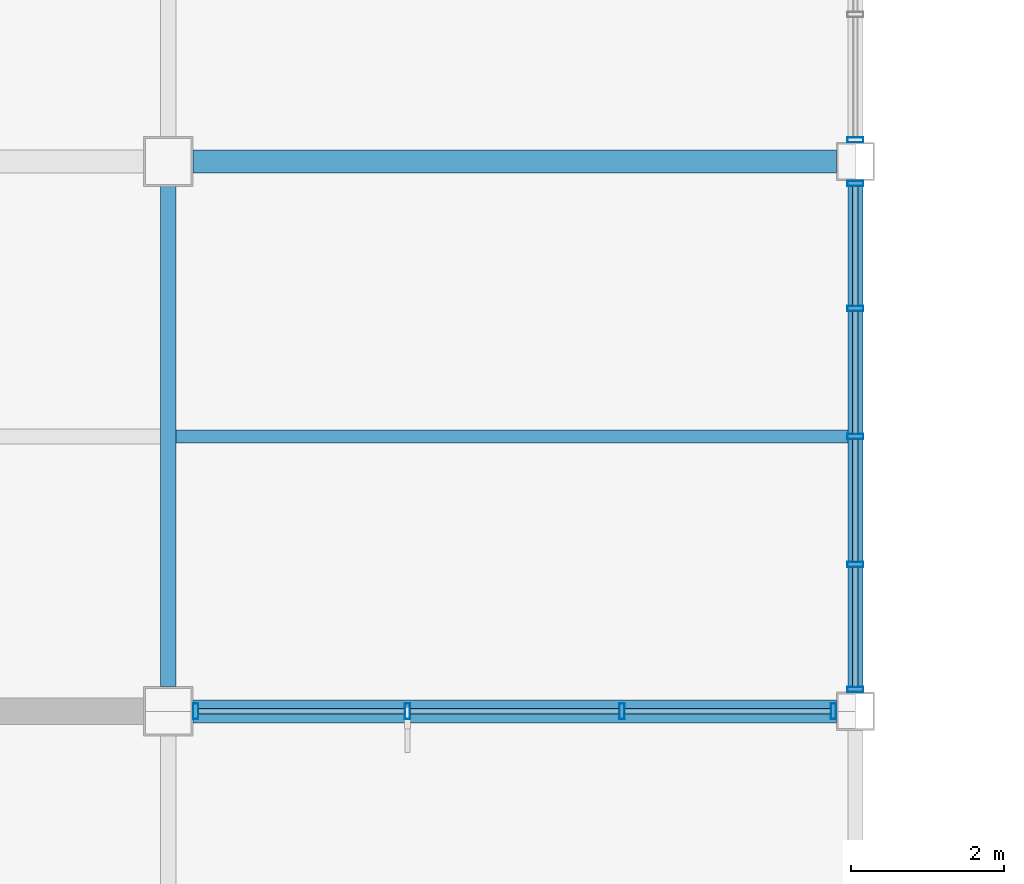
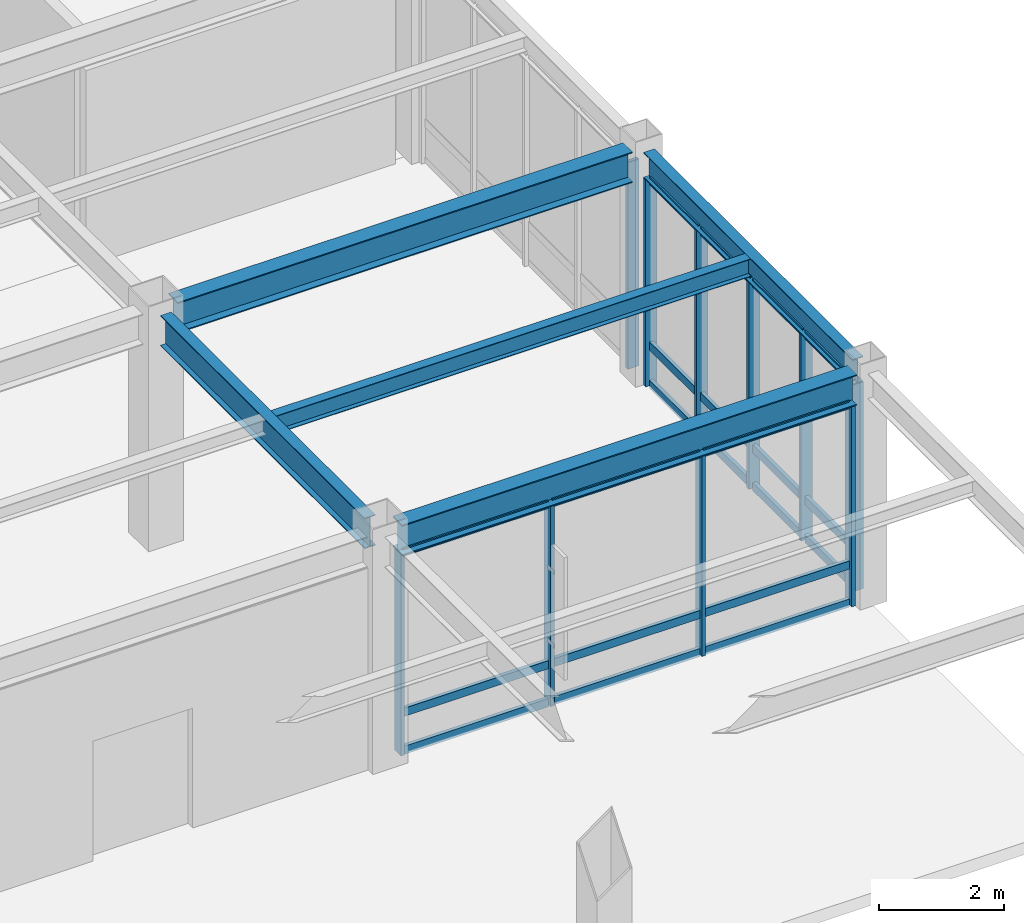
# One storey, part 36 of 112: 31 members, 5 beams, 3 elements without a shape of their own.
"""IFC4 building model written with IfcOpenShell, lengths in metres."""

from ifc_helpers import new_model, si_unit, direction, frame, origin, origin_2d, place, context, subcontext, project, spatial, hollow_rectangle, i_section, extrude, material, material_profile, profile_set, type_object, element, aggregate, save


model = new_model("IFC4")

# Units and contexts
model_context = context("Model", 3, precision=1e-05, world=origin(), true_north=direction((0.0, 1.0)))
body_context = subcontext(model_context, "Body", "Model", "MODEL_VIEW")
ifc_project = project(units=[si_unit("LENGTHUNIT", "METRE"), si_unit("AREAUNIT", "SQUARE_METRE"), si_unit("VOLUMEUNIT", "CUBIC_METRE"), si_unit("PLANEANGLEUNIT", "RADIAN"), si_unit("MASSUNIT", "GRAM", prefix="KILO")], contexts=[model_context])

# Site, building, storey
site_placement = place(None, origin())
site = spatial("IfcSite", under=ifc_project, at=site_placement, CompositionType="ELEMENT")
building_placement = place(site_placement, origin())
building = spatial("IfcBuilding", under=site, at=building_placement, Name="Kazanami Central Library", CompositionType="ELEMENT")
storey_placement = place(building_placement, origin())
storey = spatial("IfcBuildingStorey", under=building, at=storey_placement, Name="L01", CompositionType="ELEMENT", Elevation=0.0)

# Beams
ifc_material_1 = material(Name="Steel SN400B (235 MPa)", Category="steel")
ifc_material_profile_1 = material_profile(ifc_material_1, i_section(OverallWidth=0.175048828125, OverallDepth=0.35009765625, WebThickness=0.007080078125, FlangeThickness=0.010986328125, at=origin_2d()), Name="H-350x175x7x11")
ifc_profile_set_1 = profile_set([ifc_material_profile_1], Name="Steel SN400B (235 MPa)")
beam_type_1 = type_object("IfcBeamType", Name="BM-B-S2", PredefinedType="JOIST", material=ifc_profile_set_1)
beam_1_placement = place(storey_placement, frame((99.097900390625, 25.199951171875, 4.3798828125), z_axis=(1.0, 0.0, 0.0), x_axis=(0.0, 1.0, 0.0)))
element("IfcBeam", 1, at=beam_1_placement, inside=storey, type_object=beam_type_1, Name="Composite Secondary Joist B-S2 L01 Bay 12/D.1", PredefinedType="JOIST", context=body_context, shape_type="SweptSolid", body=[
    extrude(i_section(OverallWidth=0.175048828125, OverallDepth=0.35009765625, WebThickness=0.007080078125, FlangeThickness=0.010986328125, at=origin_2d()), origin(), (0.0, 0.0, 1.0), 8.80419921875),
])
ifc_material_2 = material(Name="Steel SN490B (325 MPa)", Category="steel")
ifc_material_profile_2 = material_profile(ifc_material_2, i_section(OverallWidth=0.300048828125, OverallDepth=0.60009765625, WebThickness=0.011962890625, FlangeThickness=0.02001953125, at=origin_2d()), Name="H-600x300x12x20")
ifc_profile_set_2 = profile_set([ifc_material_profile_2], Name="Steel SN490B (325 MPa)")
beam_type_2 = type_object("IfcBeamType", Name="BM-G-X1", PredefinedType="BEAM", material=ifc_profile_set_2)
for number, where, z_axis, x_axis, name in (
    (2, (99.322998046875, 21.60009765625, 4.2548828125), (1.0, 0.0, 0.0), (0.0, 1.0, 0.0), "Girder G-X1 L01 D/12-13"),
    (3, (99.322998046875, 28.800048828125, 4.2548828125), (1.0, 0.0, 0.0), (0.0, 1.0, 0.0), "Girder G-X1 L01 E/12-13"),
):
    element("IfcBeam", number, at=place(storey_placement, frame(where, z_axis=z_axis, x_axis=x_axis)), inside=storey, type_object=beam_type_2, Name=name, PredefinedType="BEAM", context=body_context, shape_type="SweptSolid", body=[
        extrude(i_section(OverallWidth=0.300048828125, OverallDepth=0.60009765625, WebThickness=0.011962890625, FlangeThickness=0.02001953125, at=origin_2d()), origin(), (0.0, 0.0, 1.0), 8.428955078125),
    ])
ifc_material_profile_3 = material_profile(ifc_material_2, i_section(OverallWidth=0.199951171875, OverallDepth=0.60009765625, WebThickness=0.010986328125, FlangeThickness=0.01708984375, at=origin_2d()), Name="H-600x200x11x17")
ifc_profile_set_3 = profile_set([ifc_material_profile_3], Name="Steel SN490B (325 MPa)")
beam_type_3 = type_object("IfcBeamType", Name="BM-G-Y1", PredefinedType="BEAM", material=ifc_profile_set_3)
beam_2_placement = place(storey_placement, frame((99.0, 21.923095703125, 4.2548828125), z_axis=(0.0, 1.0, 0.0), x_axis=(-1.0, 0.0, 0.0)))
element("IfcBeam", 4, at=beam_2_placement, inside=storey, type_object=beam_type_3, Name="Girder G-Y1 L01 12/D-E", PredefinedType="BEAM", context=body_context, shape_type="SweptSolid", body=[
    extrude(i_section(OverallWidth=0.199951171875, OverallDepth=0.60009765625, WebThickness=0.010986328125, FlangeThickness=0.01708984375, at=origin_2d()), origin(), (0.0, 0.0, 1.0), 6.553955078125),
])
ifc_material_profile_4 = material_profile(ifc_material_2, i_section(OverallWidth=0.199951171875, OverallDepth=0.5, WebThickness=0.010009765625, FlangeThickness=0.01611328125, at=origin_2d()), Name="H-500x200x10x16")
ifc_profile_set_4 = profile_set([ifc_material_profile_4], Name="Steel SN490B (325 MPa)")
beam_type_4 = type_object("IfcBeamType", Name="BM-SP-1", PredefinedType="SPANDREL", material=ifc_profile_set_4)
beam_3_placement = place(storey_placement, frame((108.0, 21.847900390625, 4.304931640625), z_axis=(0.0, 1.0, 0.0), x_axis=(-1.0, 0.0, 0.0)))
element("IfcBeam", 5, at=beam_3_placement, inside=storey, type_object=beam_type_4, Name="Girder SP-1 L01 13/D-E", PredefinedType="SPANDREL", context=body_context, shape_type="SweptSolid", body=[
    extrude(i_section(OverallWidth=0.199951171875, OverallDepth=0.5, WebThickness=0.010009765625, FlangeThickness=0.01611328125, at=origin_2d()), origin(), (0.0, 0.0, 1.0), 6.7041015625),
])

# Curtain wall, members
ifc_material_3 = material(Name="Acid-Etched Low-E Laminated Glass", Category="glass")
curtain_wall_type_1 = type_object("IfcCurtainWallType", Name="CW-8425x3955-M275", PredefinedType="USERDEFINED", material=ifc_material_3)
curtain_wall_1_placement = place(storey_placement, origin())
curtain_wall_1 = element("IfcCurtainWall", 6, at=curtain_wall_1_placement, inside=storey, type_object=curtain_wall_type_1, Name="Unitised Curtain Wall CW-01 L01 S-D-11", ObjectType="UNITISED CURTAIN WALL", PredefinedType="USERDEFINED")
ifc_material_4 = material(Name="Anodised Aluminium A6063-T5", Category="aluminium")
ifc_material_profile_5 = material_profile(ifc_material_4, hollow_rectangle(XDim=0.070068359375, YDim=0.2099609375, WallThickness=0.0048828125, at=origin_2d()), Name="ALU-MULL-70x210x5")
ifc_profile_set_5 = profile_set([ifc_material_profile_5], Name="Anodised Aluminium A6063-T5")
member_type_1 = type_object("IfcMemberType", Name="MEM-CW-M1", PredefinedType="MULLION", material=ifc_profile_set_5)
member_1_placement = place(storey_placement, frame((99.360107421875, 21.60009765625, 0.0), z_axis=(0.0, 0.0, 1.0), x_axis=(1.0, 0.0, 0.0)))
member_1 = element("IfcMember", 7, at=member_1_placement, type_object=member_type_1, Name="CW-01 mullion 1", PredefinedType="MULLION", context=body_context, shape_type="SweptSolid", body=[
    extrude(hollow_rectangle(XDim=0.070068359375, YDim=0.2099609375, WallThickness=0.0048828125, at=origin_2d()), origin(), (0.0, 0.0, 1.0), 3.955078125),
])
member_2_placement = place(storey_placement, frame((102.13330078125, 21.60009765625, 0.0), z_axis=(0.0, 0.0, 1.0), x_axis=(1.0, 0.0, 0.0)))
member_2 = element("IfcMember", 8, at=member_2_placement, type_object=member_type_1, Name="CW-01 mullion 2", PredefinedType="MULLION", context=body_context, shape_type="SweptSolid", body=[
    extrude(hollow_rectangle(XDim=0.070068359375, YDim=0.2099609375, WallThickness=0.0048828125, at=origin_2d()), origin(), (0.0, 0.0, 1.0), 3.955078125),
])
member_3_placement = place(storey_placement, frame((104.941650390625, 21.60009765625, 0.0), z_axis=(0.0, 0.0, 1.0), x_axis=(1.0, 0.0, 0.0)))
member_3 = element("IfcMember", 9, at=member_3_placement, type_object=member_type_1, Name="CW-01 mullion 3", PredefinedType="MULLION", context=body_context, shape_type="SweptSolid", body=[
    extrude(hollow_rectangle(XDim=0.070068359375, YDim=0.2099609375, WallThickness=0.0048828125, at=origin_2d()), origin(), (0.0, 0.0, 1.0), 3.955078125),
])
member_4_placement = place(storey_placement, frame((107.715087890625, 21.60009765625, 0.0), z_axis=(0.0, 0.0, 1.0), x_axis=(1.0, 0.0, 0.0)))
member_4 = element("IfcMember", 10, at=member_4_placement, type_object=member_type_1, Name="CW-01 mullion 4", PredefinedType="MULLION", context=body_context, shape_type="SweptSolid", body=[
    extrude(hollow_rectangle(XDim=0.070068359375, YDim=0.2099609375, WallThickness=0.0048828125, at=origin_2d()), origin(), (0.0, 0.0, 1.0), 3.955078125),
])

curtain_wall_type_2 = type_object("IfcCurtainWallType", Name="CW-6700x4055-M180", PredefinedType="USERDEFINED", material=ifc_material_3)
curtain_wall_2_placement = place(storey_placement, origin())
curtain_wall_2 = element("IfcCurtainWall", 11, at=curtain_wall_2_placement, inside=storey, type_object=curtain_wall_type_2, Name="Covered Link Bridge Curtain Wall CW-09 L01 E-13-03", ObjectType="UNITISED CURTAIN WALL", PredefinedType="USERDEFINED")
member_5_placement = place(storey_placement, frame((108.0, 28.514892578125, 0.0), z_axis=(0.0, 0.0, 1.0), x_axis=(0.0, -1.0, 0.0)))
member_5 = element("IfcMember", 12, at=member_5_placement, type_object=member_type_1, Name="CW-09 mullion 1", PredefinedType="MULLION", context=body_context, shape_type="SweptSolid", body=[
    extrude(hollow_rectangle(XDim=0.070068359375, YDim=0.2099609375, WallThickness=0.0048828125, at=origin_2d()), origin(), (0.0, 0.0, 1.0), 4.054931640625),
])
member_6_placement = place(storey_placement, frame((108.0, 26.875, 0.0), z_axis=(0.0, 0.0, 1.0), x_axis=(0.0, -1.0, 0.0)))
member_6 = element("IfcMember", 13, at=member_6_placement, type_object=member_type_1, Name="CW-09 mullion 2", PredefinedType="MULLION", context=body_context, shape_type="SweptSolid", body=[
    extrude(hollow_rectangle(XDim=0.070068359375, YDim=0.2099609375, WallThickness=0.0048828125, at=origin_2d()), origin(), (0.0, 0.0, 1.0), 4.054931640625),
])
member_7_placement = place(storey_placement, frame((108.0, 25.199951171875, 0.0), z_axis=(0.0, 0.0, 1.0), x_axis=(0.0, -1.0, 0.0)))
member_7 = element("IfcMember", 14, at=member_7_placement, type_object=member_type_1, Name="CW-09 mullion 3", PredefinedType="MULLION", context=body_context, shape_type="SweptSolid", body=[
    extrude(hollow_rectangle(XDim=0.070068359375, YDim=0.2099609375, WallThickness=0.0048828125, at=origin_2d()), origin(), (0.0, 0.0, 1.0), 4.054931640625),
])
member_8_placement = place(storey_placement, frame((108.0, 23.52490234375, 0.0), z_axis=(0.0, 0.0, 1.0), x_axis=(0.0, -1.0, 0.0)))
member_8 = element("IfcMember", 15, at=member_8_placement, type_object=member_type_1, Name="CW-09 mullion 4", PredefinedType="MULLION", context=body_context, shape_type="SweptSolid", body=[
    extrude(hollow_rectangle(XDim=0.070068359375, YDim=0.2099609375, WallThickness=0.0048828125, at=origin_2d()), origin(), (0.0, 0.0, 1.0), 4.054931640625),
])
member_9_placement = place(storey_placement, frame((108.0, 21.885009765625, 0.0), z_axis=(0.0, 0.0, 1.0), x_axis=(0.0, -1.0, 0.0)))
member_9 = element("IfcMember", 16, at=member_9_placement, type_object=member_type_1, Name="CW-09 mullion 5", PredefinedType="MULLION", context=body_context, shape_type="SweptSolid", body=[
    extrude(hollow_rectangle(XDim=0.070068359375, YDim=0.2099609375, WallThickness=0.0048828125, at=origin_2d()), origin(), (0.0, 0.0, 1.0), 4.054931640625),
])

# Curtain wall, member
curtain_wall_3_placement = place(storey_placement, origin())
curtain_wall_3 = element("IfcCurtainWall", 17, at=curtain_wall_3_placement, inside=storey, type_object=curtain_wall_type_2, Name="Covered Link Bridge Curtain Wall CW-09 L01 E-13-04", ObjectType="UNITISED CURTAIN WALL", PredefinedType="USERDEFINED")
member_10_placement = place(storey_placement, frame((108.0, 29.0849609375, 0.0), z_axis=(0.0, 0.0, 1.0), x_axis=(0.0, -1.0, 0.0)))
member_10 = element("IfcMember", 18, at=member_10_placement, type_object=member_type_1, Name="CW-09 mullion 5", PredefinedType="MULLION", context=body_context, shape_type="SweptSolid", body=[
    extrude(hollow_rectangle(XDim=0.070068359375, YDim=0.2099609375, WallThickness=0.0048828125, at=origin_2d()), origin(), (0.0, 0.0, 1.0), 4.054931640625),
])
aggregate(curtain_wall_3, [member_10])

# Member
ifc_material_profile_6 = material_profile(ifc_material_4, hollow_rectangle(XDim=0.070068359375, YDim=0.159912109375, WallThickness=0.00390625, at=origin_2d()), Name="ALU-TRAN-70x160x4")
ifc_profile_set_6 = profile_set([ifc_material_profile_6], Name="Anodised Aluminium A6063-T5")
member_type_2 = type_object("IfcMemberType", Name="MEM-CW-T1", PredefinedType="USERDEFINED", material=ifc_profile_set_6)
member_11_placement = place(storey_placement, frame((99.39501953125, 21.60009765625, 0.034912109375), z_axis=(1.0, 0.0, 0.0), x_axis=(0.0, 1.0, 0.0)))
member_11 = element("IfcMember", 19, at=member_11_placement, type_object=member_type_2, Name="CW-01 transom 1.1", ObjectType="TRANSOM", PredefinedType="USERDEFINED", context=body_context, shape_type="SweptSolid", body=[
    extrude(hollow_rectangle(XDim=0.070068359375, YDim=0.159912109375, WallThickness=0.00390625, at=origin_2d()), origin(), (0.0, 0.0, 1.0), 2.703369140625),
])

member_12_placement = place(storey_placement, frame((99.39501953125, 21.60009765625, 0.780029296875), z_axis=(1.0, 0.0, 0.0), x_axis=(0.0, 1.0, 0.0)))
member_12 = element("IfcMember", 20, at=member_12_placement, type_object=member_type_2, Name="CW-01 transom 1.2", ObjectType="TRANSOM", PredefinedType="USERDEFINED", context=body_context, shape_type="SweptSolid", body=[
    extrude(hollow_rectangle(XDim=0.070068359375, YDim=0.159912109375, WallThickness=0.00390625, at=origin_2d()), origin(), (0.0, 0.0, 1.0), 2.703369140625),
])

member_13_placement = place(storey_placement, frame((99.39501953125, 21.60009765625, 3.919921875), z_axis=(1.0, 0.0, 0.0), x_axis=(0.0, 1.0, 0.0)))
member_13 = element("IfcMember", 21, at=member_13_placement, type_object=member_type_2, Name="CW-01 transom 1.3", ObjectType="TRANSOM", PredefinedType="USERDEFINED", context=body_context, shape_type="SweptSolid", body=[
    extrude(hollow_rectangle(XDim=0.070068359375, YDim=0.159912109375, WallThickness=0.00390625, at=origin_2d()), origin(), (0.0, 0.0, 1.0), 2.703369140625),
])

member_14_placement = place(storey_placement, frame((102.168212890625, 21.60009765625, 0.034912109375), z_axis=(1.0, 0.0, 0.0), x_axis=(0.0, 1.0, 0.0)))
member_14 = element("IfcMember", 22, at=member_14_placement, type_object=member_type_2, Name="CW-01 transom 2.1", ObjectType="TRANSOM", PredefinedType="USERDEFINED", context=body_context, shape_type="SweptSolid", body=[
    extrude(hollow_rectangle(XDim=0.070068359375, YDim=0.159912109375, WallThickness=0.00390625, at=origin_2d()), origin(), (0.0, 0.0, 1.0), 2.738525390625),
])

member_15_placement = place(storey_placement, frame((102.168212890625, 21.60009765625, 0.780029296875), z_axis=(1.0, 0.0, 0.0), x_axis=(0.0, 1.0, 0.0)))
member_15 = element("IfcMember", 23, at=member_15_placement, type_object=member_type_2, Name="CW-01 transom 2.2", ObjectType="TRANSOM", PredefinedType="USERDEFINED", context=body_context, shape_type="SweptSolid", body=[
    extrude(hollow_rectangle(XDim=0.070068359375, YDim=0.159912109375, WallThickness=0.00390625, at=origin_2d()), origin(), (0.0, 0.0, 1.0), 2.738525390625),
])

member_16_placement = place(storey_placement, frame((102.168212890625, 21.60009765625, 3.919921875), z_axis=(1.0, 0.0, 0.0), x_axis=(0.0, 1.0, 0.0)))
member_16 = element("IfcMember", 24, at=member_16_placement, type_object=member_type_2, Name="CW-01 transom 2.3", ObjectType="TRANSOM", PredefinedType="USERDEFINED", context=body_context, shape_type="SweptSolid", body=[
    extrude(hollow_rectangle(XDim=0.070068359375, YDim=0.159912109375, WallThickness=0.00390625, at=origin_2d()), origin(), (0.0, 0.0, 1.0), 2.738525390625),
])

member_17_placement = place(storey_placement, frame((104.9765625, 21.60009765625, 0.034912109375), z_axis=(1.0, 0.0, 0.0), x_axis=(0.0, 1.0, 0.0)))
member_17 = element("IfcMember", 25, at=member_17_placement, type_object=member_type_2, Name="CW-01 transom 3.1", ObjectType="TRANSOM", PredefinedType="USERDEFINED", context=body_context, shape_type="SweptSolid", body=[
    extrude(hollow_rectangle(XDim=0.070068359375, YDim=0.159912109375, WallThickness=0.00390625, at=origin_2d()), origin(), (0.0, 0.0, 1.0), 2.703369140625),
])

member_18_placement = place(storey_placement, frame((104.9765625, 21.60009765625, 0.780029296875), z_axis=(1.0, 0.0, 0.0), x_axis=(0.0, 1.0, 0.0)))
member_18 = element("IfcMember", 26, at=member_18_placement, type_object=member_type_2, Name="CW-01 transom 3.2", ObjectType="TRANSOM", PredefinedType="USERDEFINED", context=body_context, shape_type="SweptSolid", body=[
    extrude(hollow_rectangle(XDim=0.070068359375, YDim=0.159912109375, WallThickness=0.00390625, at=origin_2d()), origin(), (0.0, 0.0, 1.0), 2.703369140625),
])

member_19_placement = place(storey_placement, frame((104.9765625, 21.60009765625, 3.919921875), z_axis=(1.0, 0.0, 0.0), x_axis=(0.0, 1.0, 0.0)))
member_19 = element("IfcMember", 27, at=member_19_placement, type_object=member_type_2, Name="CW-01 transom 3.3", ObjectType="TRANSOM", PredefinedType="USERDEFINED", context=body_context, shape_type="SweptSolid", body=[
    extrude(hollow_rectangle(XDim=0.070068359375, YDim=0.159912109375, WallThickness=0.00390625, at=origin_2d()), origin(), (0.0, 0.0, 1.0), 2.703369140625),
])

aggregate(curtain_wall_1, [member_1, member_2, member_3, member_4, member_11, member_12, member_13, member_14, member_15, member_16, member_17, member_18, member_19])

member_20_placement = place(storey_placement, frame((108.0, 28.47998046875, 0.034912109375), z_axis=(0.0, -1.0, 0.0), x_axis=(1.0, 0.0, 0.0)))
member_20 = element("IfcMember", 28, at=member_20_placement, type_object=member_type_2, Name="CW-09 transom 1.1", ObjectType="TRANSOM", PredefinedType="USERDEFINED", context=body_context, shape_type="SweptSolid", body=[
    extrude(hollow_rectangle(XDim=0.070068359375, YDim=0.159912109375, WallThickness=0.00390625, at=origin_2d()), origin(), (0.0, 0.0, 1.0), 1.570068359375),
])

member_21_placement = place(storey_placement, frame((108.0, 28.47998046875, 0.780029296875), z_axis=(0.0, -1.0, 0.0), x_axis=(1.0, 0.0, 0.0)))
member_21 = element("IfcMember", 29, at=member_21_placement, type_object=member_type_2, Name="CW-09 transom 1.2", ObjectType="TRANSOM", PredefinedType="USERDEFINED", context=body_context, shape_type="SweptSolid", body=[
    extrude(hollow_rectangle(XDim=0.070068359375, YDim=0.159912109375, WallThickness=0.00390625, at=origin_2d()), origin(), (0.0, 0.0, 1.0), 1.570068359375),
])

member_22_placement = place(storey_placement, frame((108.0, 28.47998046875, 4.02001953125), z_axis=(0.0, -1.0, 0.0), x_axis=(1.0, 0.0, 0.0)))
member_22 = element("IfcMember", 30, at=member_22_placement, type_object=member_type_2, Name="CW-09 transom 1.3", ObjectType="TRANSOM", PredefinedType="USERDEFINED", context=body_context, shape_type="SweptSolid", body=[
    extrude(hollow_rectangle(XDim=0.070068359375, YDim=0.159912109375, WallThickness=0.00390625, at=origin_2d()), origin(), (0.0, 0.0, 1.0), 1.570068359375),
])

member_23_placement = place(storey_placement, frame((108.0, 26.840087890625, 0.034912109375), z_axis=(0.0, -1.0, 0.0), x_axis=(1.0, 0.0, 0.0)))
member_23 = element("IfcMember", 31, at=member_23_placement, type_object=member_type_2, Name="CW-09 transom 2.1", ObjectType="TRANSOM", PredefinedType="USERDEFINED", context=body_context, shape_type="SweptSolid", body=[
    extrude(hollow_rectangle(XDim=0.070068359375, YDim=0.159912109375, WallThickness=0.00390625, at=origin_2d()), origin(), (0.0, 0.0, 1.0), 1.60498046875),
])

member_24_placement = place(storey_placement, frame((108.0, 26.840087890625, 0.780029296875), z_axis=(0.0, -1.0, 0.0), x_axis=(1.0, 0.0, 0.0)))
member_24 = element("IfcMember", 32, at=member_24_placement, type_object=member_type_2, Name="CW-09 transom 2.2", ObjectType="TRANSOM", PredefinedType="USERDEFINED", context=body_context, shape_type="SweptSolid", body=[
    extrude(hollow_rectangle(XDim=0.070068359375, YDim=0.159912109375, WallThickness=0.00390625, at=origin_2d()), origin(), (0.0, 0.0, 1.0), 1.60498046875),
])

member_25_placement = place(storey_placement, frame((108.0, 26.840087890625, 4.02001953125), z_axis=(0.0, -1.0, 0.0), x_axis=(1.0, 0.0, 0.0)))
member_25 = element("IfcMember", 33, at=member_25_placement, type_object=member_type_2, Name="CW-09 transom 2.3", ObjectType="TRANSOM", PredefinedType="USERDEFINED", context=body_context, shape_type="SweptSolid", body=[
    extrude(hollow_rectangle(XDim=0.070068359375, YDim=0.159912109375, WallThickness=0.00390625, at=origin_2d()), origin(), (0.0, 0.0, 1.0), 1.60498046875),
])

member_26_placement = place(storey_placement, frame((108.0, 25.1650390625, 0.034912109375), z_axis=(0.0, -1.0, 0.0), x_axis=(1.0, 0.0, 0.0)))
member_26 = element("IfcMember", 34, at=member_26_placement, type_object=member_type_2, Name="CW-09 transom 3.1", ObjectType="TRANSOM", PredefinedType="USERDEFINED", context=body_context, shape_type="SweptSolid", body=[
    extrude(hollow_rectangle(XDim=0.070068359375, YDim=0.159912109375, WallThickness=0.00390625, at=origin_2d()), origin(), (0.0, 0.0, 1.0), 1.60498046875),
])

member_27_placement = place(storey_placement, frame((108.0, 25.1650390625, 0.780029296875), z_axis=(0.0, -1.0, 0.0), x_axis=(1.0, 0.0, 0.0)))
member_27 = element("IfcMember", 35, at=member_27_placement, type_object=member_type_2, Name="CW-09 transom 3.2", ObjectType="TRANSOM", PredefinedType="USERDEFINED", context=body_context, shape_type="SweptSolid", body=[
    extrude(hollow_rectangle(XDim=0.070068359375, YDim=0.159912109375, WallThickness=0.00390625, at=origin_2d()), origin(), (0.0, 0.0, 1.0), 1.60498046875),
])

member_28_placement = place(storey_placement, frame((108.0, 25.1650390625, 4.02001953125), z_axis=(0.0, -1.0, 0.0), x_axis=(1.0, 0.0, 0.0)))
member_28 = element("IfcMember", 36, at=member_28_placement, type_object=member_type_2, Name="CW-09 transom 3.3", ObjectType="TRANSOM", PredefinedType="USERDEFINED", context=body_context, shape_type="SweptSolid", body=[
    extrude(hollow_rectangle(XDim=0.070068359375, YDim=0.159912109375, WallThickness=0.00390625, at=origin_2d()), origin(), (0.0, 0.0, 1.0), 1.60498046875),
])

member_29_placement = place(storey_placement, frame((108.0, 23.489990234375, 0.034912109375), z_axis=(0.0, -1.0, 0.0), x_axis=(1.0, 0.0, 0.0)))
member_29 = element("IfcMember", 37, at=member_29_placement, type_object=member_type_2, Name="CW-09 transom 4.1", ObjectType="TRANSOM", PredefinedType="USERDEFINED", context=body_context, shape_type="SweptSolid", body=[
    extrude(hollow_rectangle(XDim=0.070068359375, YDim=0.159912109375, WallThickness=0.00390625, at=origin_2d()), origin(), (0.0, 0.0, 1.0), 1.570068359375),
])

member_30_placement = place(storey_placement, frame((108.0, 23.489990234375, 0.780029296875), z_axis=(0.0, -1.0, 0.0), x_axis=(1.0, 0.0, 0.0)))
member_30 = element("IfcMember", 38, at=member_30_placement, type_object=member_type_2, Name="CW-09 transom 4.2", ObjectType="TRANSOM", PredefinedType="USERDEFINED", context=body_context, shape_type="SweptSolid", body=[
    extrude(hollow_rectangle(XDim=0.070068359375, YDim=0.159912109375, WallThickness=0.00390625, at=origin_2d()), origin(), (0.0, 0.0, 1.0), 1.570068359375),
])

member_31_placement = place(storey_placement, frame((108.0, 23.489990234375, 4.02001953125), z_axis=(0.0, -1.0, 0.0), x_axis=(1.0, 0.0, 0.0)))
member_31 = element("IfcMember", 39, at=member_31_placement, type_object=member_type_2, Name="CW-09 transom 4.3", ObjectType="TRANSOM", PredefinedType="USERDEFINED", context=body_context, shape_type="SweptSolid", body=[
    extrude(hollow_rectangle(XDim=0.070068359375, YDim=0.159912109375, WallThickness=0.00390625, at=origin_2d()), origin(), (0.0, 0.0, 1.0), 1.570068359375),
])

aggregate(curtain_wall_2, [member_5, member_6, member_7, member_8, member_9, member_20, member_21, member_22, member_23, member_24, member_25, member_26, member_27, member_28, member_29, member_30, member_31])

save(model, "model.ifc")
